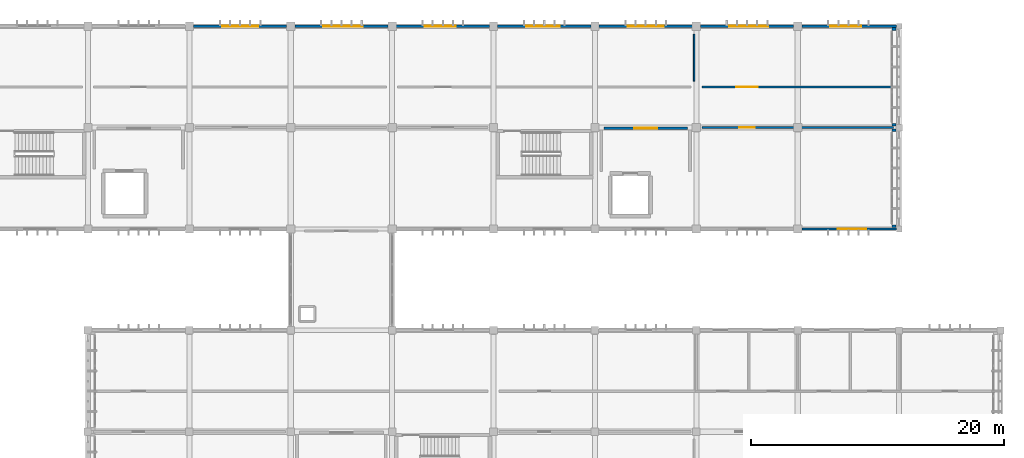
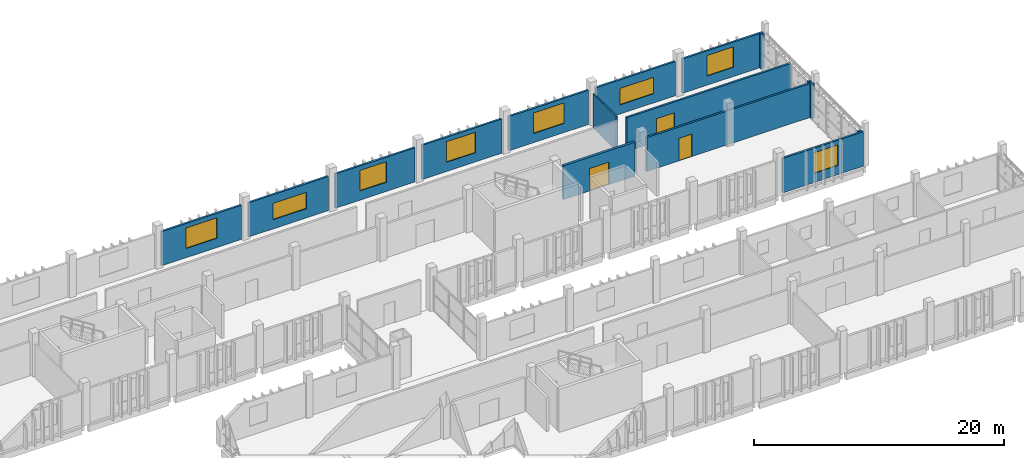
# One storey, part 54 of 63: 16 walls, 8 windows, 3 doors, 11 openings.
"""IFC4 building model written with IfcOpenShell, lengths in metres."""

from ifc_helpers import new_model, si_unit, direction, frame, frame_2d, origin, place, context, subcontext, project, spatial, rectangle, extrude, material, layer, layer_set, type_object, element, fill, save


model = new_model("IFC4")

# Units and contexts
model_context = context("Model", 3, precision=1e-05, world=origin(), true_north=direction((0.0, 1.0)))
body_context = subcontext(model_context, "Body", "Model", "MODEL_VIEW")
ifc_project = project(units=[si_unit("LENGTHUNIT", "METRE"), si_unit("AREAUNIT", "SQUARE_METRE"), si_unit("VOLUMEUNIT", "CUBIC_METRE"), si_unit("PLANEANGLEUNIT", "RADIAN"), si_unit("MASSUNIT", "GRAM", prefix="KILO")], contexts=[model_context])

# Site, building, storey
site_placement = place(None, origin())
site = spatial("IfcSite", under=ifc_project, at=site_placement, CompositionType="ELEMENT")
building_placement = place(site_placement, origin())
building = spatial("IfcBuilding", under=site, at=building_placement, Name="Jelvoka-Kovrelna Polytechnic", CompositionType="ELEMENT")
storey_placement = place(building_placement, frame((0.0, 0.0, 18.0)))
storey = spatial("IfcBuildingStorey", under=building, at=storey_placement, Name="L05", CompositionType="ELEMENT", Elevation=18.0)

# Wall, opening, door
ifc_material_1 = material(Name="Concrete C35/45", Category="concrete")
ifc_layer_1 = layer(ifc_material_1, 0.219970703125)
ifc_layer_set_1 = layer_set([ifc_layer_1], Name="Concrete C35/45")
wall_type_1 = type_object("IfcWallType", Name="Wall_Compartment_220", PredefinedType="PARTITIONING", material=ifc_layer_set_1)
wall_1_placement = place(storey_placement, frame((168.699951171875, 63.949951171875, 0.0), z_axis=(0.0, 0.0, 1.0), x_axis=(1.0, 0.0, 0.0)))
wall_1 = element("IfcWall", 1, at=wall_1_placement, inside=storey, type_object=wall_type_1, Name="L05 interior wall 0367", PredefinedType="PARTITIONING", context=body_context, shape_type="SweptSolid", body=[
    extrude(rectangle(XDim=6.60009765625, YDim=0.219970703125, at=frame_2d((3.300048828125, 0.0))), origin(), (0.0, 0.0, 1.0), 3.300048828125),
])
opening_1_placement = place(wall_1_placement, frame((2.39990234375, 0.0, 0.0)))
opening_1 = element("IfcOpeningElement", 2, at=opening_1_placement, cuts=wall_1, Name="Opening FD-L05-078", PredefinedType="OPENING", context=body_context, shape_type="SweptSolid", body=[
    extrude(rectangle(XDim=1.800048828125, YDim=2.199951171875, at=frame_2d((0.89990234375, 1.10009765625))), frame((0.0, 0.119873046875, 0.0), z_axis=(0.0, -1.0, 0.0), x_axis=(1.0, 0.0, 0.0)), (0.0, 0.0, 1.0), 0.239990234375),
])
ifc_material_2 = material(Name="Paired steel corridor fire door", Category="steel")
door_type_1 = type_object("IfcDoorType", Name="Door_Fire_FD03", OperationType="NOTDEFINED", PredefinedType="DOOR", material=ifc_material_2)
door_1_placement = place(opening_1_placement, origin())
door_1 = element("IfcDoor", 3, at=door_1_placement, inside=storey, type_object=door_type_1, Name="L05 interior door FD-L05-078", OperationType="DOUBLE_DOOR_SINGLE_SWING", OverallHeight=2.199951171875, OverallWidth=1.800048828125, PredefinedType="DOOR", context=body_context, shape_type="SweptSolid", body=[
    extrude(rectangle(XDim=1.800048828125, YDim=2.199951171875, at=frame_2d((0.89990234375, 1.10009765625))), frame((0.0, 0.02490234375, 0.0), z_axis=(0.0, -1.0, 0.0), x_axis=(1.0, 0.0, 0.0)), (0.0, 0.0, 1.0), 0.050048828125),
])
fill(opening_1, door_1)

ifc_material_3 = material(Name="Autoclaved aerated concrete blockwork", Category="masonry")
ifc_layer_2 = layer(ifc_material_3, 0.179931640625)
ifc_layer_set_2 = layer_set([ifc_layer_2], Name="Autoclaved aerated concrete blockwork")
wall_type_2 = type_object("IfcWallType", Name="Wall_Corridor_180", PredefinedType="PARTITIONING", material=ifc_layer_set_2)
wall_2_placement = place(storey_placement, frame((176.429931640625, 64.0, 0.0), z_axis=(0.0, 0.0, 1.0), x_axis=(1.0, 0.0, 0.0)))
wall_2 = element("IfcWall", 4, at=wall_2_placement, inside=storey, type_object=wall_type_2, Name="L05 interior wall 1208", PredefinedType="PARTITIONING", context=body_context, shape_type="SweptSolid", body=[
    extrude(rectangle(XDim=15.14013671875, YDim=0.179931640625, at=frame_2d((7.570068359375, 0.0))), origin(), (0.0, 0.0, 1.0), 3.300048828125),
])
opening_2_placement = place(wall_2_placement, frame((2.969970703125, 0.0, 0.0)))
opening_2 = element("IfcOpeningElement", 5, at=opening_2_placement, cuts=wall_2, Name="Opening D-L05-397", PredefinedType="OPENING", context=body_context, shape_type="SweptSolid", body=[
    extrude(rectangle(XDim=1.199951171875, YDim=2.199951171875, at=frame_2d((0.60009765625, 1.10009765625))), frame((0.0, 0.099853515625, 0.0), z_axis=(0.0, -1.0, 0.0), x_axis=(1.0, 0.0, 0.0)), (0.0, 0.0, 1.0), 0.199951171875),
])
ifc_material_4 = material(Name="Laboratory vision-panel door", Category="wood")
door_type_2 = type_object("IfcDoorType", Name="Door_Int_D13", OperationType="NOTDEFINED", PredefinedType="DOOR", material=ifc_material_4)
door_2_placement = place(opening_2_placement, origin())
door_2 = element("IfcDoor", 6, at=door_2_placement, inside=storey, type_object=door_type_2, Name="L05 interior door D-L05-397", OperationType="SINGLE_SWING_LEFT", OverallHeight=2.199951171875, OverallWidth=1.199951171875, PredefinedType="DOOR", context=body_context, shape_type="SweptSolid", body=[
    extrude(rectangle(XDim=1.199951171875, YDim=2.199951171875, at=frame_2d((0.60009765625, 1.10009765625))), frame((0.0, 0.02490234375, 0.0), z_axis=(0.0, -1.0, 0.0), x_axis=(1.0, 0.0, 0.0)), (0.0, 0.0, 1.0), 0.050048828125),
])
fill(opening_2, door_2)

wall_3_placement = place(storey_placement, frame((176.429931640625, 67.199951171875, 0.0), z_axis=(0.0, 0.0, 1.0), x_axis=(1.0, 0.0, 0.0)))
wall_3 = element("IfcWall", 7, at=wall_3_placement, inside=storey, type_object=wall_type_2, Name="L05 interior wall 1215", PredefinedType="PARTITIONING", context=body_context, shape_type="SweptSolid", body=[
    extrude(rectangle(XDim=15.14013671875, YDim=0.179931640625, at=frame_2d((7.570068359375, 0.0))), origin(), (0.0, 0.0, 1.0), 3.300048828125),
])
opening_3_placement = place(wall_3_placement, frame((2.72998046875, 0.0, 0.0)))
opening_3 = element("IfcOpeningElement", 8, at=opening_3_placement, cuts=wall_3, Name="Opening D-L05-403", PredefinedType="OPENING", context=body_context, shape_type="SweptSolid", body=[
    extrude(rectangle(XDim=1.679931640625, YDim=2.25, at=frame_2d((0.83984375, 1.125))), frame((0.0, 0.099853515625, 0.0), z_axis=(0.0, -1.0, 0.0), x_axis=(1.0, 0.0, 0.0)), (0.0, 0.0, 1.0), 0.199951171875),
])
ifc_material_5 = material(Name="Paired acoustic lecture theatre door", Category="wood")
door_type_3 = type_object("IfcDoorType", Name="Door_Int_D20", OperationType="NOTDEFINED", PredefinedType="DOOR", material=ifc_material_5)
door_3_placement = place(opening_3_placement, origin())
door_3 = element("IfcDoor", 9, at=door_3_placement, inside=storey, type_object=door_type_3, Name="L05 interior door D-L05-403", OperationType="DOUBLE_DOOR_SINGLE_SWING", OverallHeight=2.25, OverallWidth=1.679931640625, PredefinedType="DOOR", context=body_context, shape_type="SweptSolid", body=[
    extrude(rectangle(XDim=1.679931640625, YDim=2.25, at=frame_2d((0.83984375, 1.125))), frame((0.0, 0.02490234375, 0.0), z_axis=(0.0, -1.0, 0.0), x_axis=(1.0, 0.0, 0.0)), (0.0, 0.0, 1.0), 0.050048828125),
])
fill(opening_3, door_3)

# Wall, opening, window
ifc_material_6 = material(Name="Precast concrete C40/50", Category="concrete")
ifc_layer_3 = layer(ifc_material_6, 0.18505859375)
ifc_layer_set_3 = layer_set([ifc_layer_3], Name="Precast concrete C40/50")
wall_type_3 = type_object("IfcWallType", Name="Wall_Ext_White_260", PredefinedType="STANDARD", material=ifc_layer_set_3)
wall_4_placement = place(storey_placement, frame((136.322021484375, 72.0, 0.0), z_axis=(0.0, 0.0, 1.0), x_axis=(1.0, 0.0, 0.0)))
wall_4 = element("IfcWall", 10, at=wall_4_placement, inside=storey, type_object=wall_type_3, Name="L05 exterior wall 0731", PredefinedType="STANDARD", context=body_context, shape_type="SweptSolid", body=[
    extrude(rectangle(XDim=7.35595703125, YDim=0.18505859375, at=frame_2d((3.677978515625, 0.0))), origin(), (0.0, 0.0, 1.0), 3.3349609375),
])
opening_4_placement = place(wall_4_placement, frame((2.258056640625, 0.0, 0.89990234375)))
opening_4 = element("IfcOpeningElement", 11, at=opening_4_placement, cuts=wall_4, Name="Opening W-L05-393", PredefinedType="OPENING", context=body_context, shape_type="SweptSolid", body=[
    extrude(rectangle(XDim=2.85009765625, YDim=2.0, at=frame_2d((1.425048828125, 1.0))), frame((0.0, 0.1025390625, 0.0), z_axis=(0.0, -1.0, 0.0), x_axis=(1.0, 0.0, 0.0)), (0.0, 0.0, 1.0), 0.205078125),
])
ifc_material_7 = material(Name="Thermally broken anodised aluminium and low-e glazing", Category="aluminium")
window_type_1 = type_object("IfcWindowType", Name="Win_Casement_W60", PartitioningType="DOUBLE_PANEL_VERTICAL", PredefinedType="WINDOW", material=ifc_material_7)
window_1_placement = place(opening_4_placement, origin())
window_1 = element("IfcWindow", 12, at=window_1_placement, inside=storey, type_object=window_type_1, Name="L05 aluminium casement window W-L05-393", OverallHeight=2.0, OverallWidth=2.85009765625, PartitioningType="DOUBLE_PANEL_VERTICAL", PredefinedType="WINDOW", context=body_context, shape_type="SweptSolid", body=[
    extrude(rectangle(XDim=2.85009765625, YDim=2.0, at=frame_2d((1.425048828125, 1.0))), frame((0.0, 0.030029296875, 0.0), z_axis=(0.0, -1.0, 0.0), x_axis=(1.0, 0.0, 0.0)), (0.0, 0.0, 1.0), 0.06005859375),
])
fill(opening_4, window_1)

wall_5_placement = place(storey_placement, frame((144.322021484375, 72.0, 0.0), z_axis=(0.0, 0.0, 1.0), x_axis=(1.0, 0.0, 0.0)))
wall_5 = element("IfcWall", 13, at=wall_5_placement, inside=storey, type_object=wall_type_3, Name="L05 exterior wall 0732", PredefinedType="STANDARD", context=body_context, shape_type="SweptSolid", body=[
    extrude(rectangle(XDim=7.35595703125, YDim=0.18505859375, at=frame_2d((3.677978515625, 0.0))), origin(), (0.0, 0.0, 1.0), 3.3349609375),
])
opening_5_placement = place(wall_5_placement, frame((2.258056640625, 0.0, 0.89990234375)))
opening_5 = element("IfcOpeningElement", 14, at=opening_5_placement, cuts=wall_5, Name="Opening W-L05-394", PredefinedType="OPENING", context=body_context, shape_type="SweptSolid", body=[
    extrude(rectangle(XDim=3.10009765625, YDim=1.60009765625, at=frame_2d((1.550048828125, 0.800048828125))), frame((0.0, 0.1025390625, 0.0), z_axis=(0.0, -1.0, 0.0), x_axis=(1.0, 0.0, 0.0)), (0.0, 0.0, 1.0), 0.205078125),
])
ifc_material_8 = material(Name="Thermally broken anodised aluminium and low-e glazing", Category="aluminium")
window_type_2 = type_object("IfcWindowType", Name="Win_Casement_W61", PartitioningType="DOUBLE_PANEL_VERTICAL", PredefinedType="WINDOW", material=ifc_material_8)
window_2_placement = place(opening_5_placement, origin())
window_2 = element("IfcWindow", 15, at=window_2_placement, inside=storey, type_object=window_type_2, Name="L05 aluminium casement window W-L05-394", OverallHeight=1.60009765625, OverallWidth=3.10009765625, PartitioningType="DOUBLE_PANEL_VERTICAL", PredefinedType="WINDOW", context=body_context, shape_type="SweptSolid", body=[
    extrude(rectangle(XDim=3.10009765625, YDim=1.60009765625, at=frame_2d((1.550048828125, 0.800048828125))), frame((0.0, 0.030029296875, 0.0), z_axis=(0.0, -1.0, 0.0), x_axis=(1.0, 0.0, 0.0)), (0.0, 0.0, 1.0), 0.06005859375),
])
fill(opening_5, window_2)

wall_6_placement = place(storey_placement, frame((152.322021484375, 72.0, 0.0), z_axis=(0.0, 0.0, 1.0), x_axis=(1.0, 0.0, 0.0)))
wall_6 = element("IfcWall", 16, at=wall_6_placement, inside=storey, type_object=wall_type_3, Name="L05 exterior wall 0734", PredefinedType="STANDARD", context=body_context, shape_type="SweptSolid", body=[
    extrude(rectangle(XDim=7.35595703125, YDim=0.18505859375, at=frame_2d((3.677978515625, 0.0))), origin(), (0.0, 0.0, 1.0), 3.3349609375),
])
opening_6_placement = place(wall_6_placement, frame((2.258056640625, 0.0, 0.89990234375)))
opening_6 = element("IfcOpeningElement", 17, at=opening_6_placement, cuts=wall_6, Name="Opening W-L05-396", PredefinedType="OPENING", context=body_context, shape_type="SweptSolid", body=[
    extrude(rectangle(XDim=2.449951171875, YDim=2.0, at=frame_2d((1.22509765625, 1.0))), frame((0.0, 0.1025390625, 0.0), z_axis=(0.0, -1.0, 0.0), x_axis=(1.0, 0.0, 0.0)), (0.0, 0.0, 1.0), 0.205078125),
])
ifc_material_9 = material(Name="Thermally broken anodised aluminium and low-e glazing", Category="aluminium")
window_type_3 = type_object("IfcWindowType", Name="Win_Casement_W58", PartitioningType="DOUBLE_PANEL_VERTICAL", PredefinedType="WINDOW", material=ifc_material_9)
window_3_placement = place(opening_6_placement, origin())
window_3 = element("IfcWindow", 18, at=window_3_placement, inside=storey, type_object=window_type_3, Name="L05 aluminium casement window W-L05-396", OverallHeight=2.0, OverallWidth=2.449951171875, PartitioningType="DOUBLE_PANEL_VERTICAL", PredefinedType="WINDOW", context=body_context, shape_type="SweptSolid", body=[
    extrude(rectangle(XDim=2.449951171875, YDim=2.0, at=frame_2d((1.22509765625, 1.0))), frame((0.0, 0.030029296875, 0.0), z_axis=(0.0, -1.0, 0.0), x_axis=(1.0, 0.0, 0.0)), (0.0, 0.0, 1.0), 0.06005859375),
])
fill(opening_6, window_3)

wall_7_placement = place(storey_placement, frame((160.322021484375, 72.0, 0.0), z_axis=(0.0, 0.0, 1.0), x_axis=(1.0, 0.0, 0.0)))
wall_7 = element("IfcWall", 19, at=wall_7_placement, inside=storey, type_object=wall_type_3, Name="L05 exterior wall 0736", PredefinedType="STANDARD", context=body_context, shape_type="SweptSolid", body=[
    extrude(rectangle(XDim=7.35595703125, YDim=0.18505859375, at=frame_2d((3.677978515625, 0.0))), origin(), (0.0, 0.0, 1.0), 3.3349609375),
])
opening_7_placement = place(wall_7_placement, frame((2.258056640625, 0.0, 0.89990234375)))
opening_7 = element("IfcOpeningElement", 20, at=opening_7_placement, cuts=wall_7, Name="Opening W-L05-398", PredefinedType="OPENING", context=body_context, shape_type="SweptSolid", body=[
    extrude(rectangle(XDim=2.64990234375, YDim=2.0, at=frame_2d((1.324951171875, 1.0))), frame((0.0, 0.1025390625, 0.0), z_axis=(0.0, -1.0, 0.0), x_axis=(1.0, 0.0, 0.0)), (0.0, 0.0, 1.0), 0.205078125),
])
ifc_material_10 = material(Name="Thermally broken anodised aluminium and low-e glazing", Category="aluminium")
window_type_4 = type_object("IfcWindowType", Name="Win_Casement_W59", PartitioningType="DOUBLE_PANEL_VERTICAL", PredefinedType="WINDOW", material=ifc_material_10)
window_4_placement = place(opening_7_placement, origin())
window_4 = element("IfcWindow", 21, at=window_4_placement, inside=storey, type_object=window_type_4, Name="L05 aluminium casement window W-L05-398", OverallHeight=2.0, OverallWidth=2.64990234375, PartitioningType="DOUBLE_PANEL_VERTICAL", PredefinedType="WINDOW", context=body_context, shape_type="SweptSolid", body=[
    extrude(rectangle(XDim=2.64990234375, YDim=2.0, at=frame_2d((1.324951171875, 1.0))), frame((0.0, 0.030029296875, 0.0), z_axis=(0.0, -1.0, 0.0), x_axis=(1.0, 0.0, 0.0)), (0.0, 0.0, 1.0), 0.06005859375),
])
fill(opening_7, window_4)

wall_8_placement = place(storey_placement, frame((168.322021484375, 72.0, 0.0), z_axis=(0.0, 0.0, 1.0), x_axis=(1.0, 0.0, 0.0)))
wall_8 = element("IfcWall", 22, at=wall_8_placement, inside=storey, type_object=wall_type_3, Name="L05 exterior wall 0738", PredefinedType="STANDARD", context=body_context, shape_type="SweptSolid", body=[
    extrude(rectangle(XDim=7.35595703125, YDim=0.18505859375, at=frame_2d((3.677978515625, 0.0))), origin(), (0.0, 0.0, 1.0), 3.3349609375),
])
opening_8_placement = place(wall_8_placement, frame((2.258056640625, 0.0, 0.89990234375)))
opening_8 = element("IfcOpeningElement", 23, at=opening_8_placement, cuts=wall_8, Name="Opening W-L05-400", PredefinedType="OPENING", context=body_context, shape_type="SweptSolid", body=[
    extrude(rectangle(XDim=2.85009765625, YDim=2.0, at=frame_2d((1.425048828125, 1.0))), frame((0.0, 0.1025390625, 0.0), z_axis=(0.0, -1.0, 0.0), x_axis=(1.0, 0.0, 0.0)), (0.0, 0.0, 1.0), 0.205078125),
])
window_5_placement = place(opening_8_placement, origin())
window_5 = element("IfcWindow", 24, at=window_5_placement, inside=storey, type_object=window_type_1, Name="L05 aluminium casement window W-L05-400", OverallHeight=2.0, OverallWidth=2.85009765625, PartitioningType="DOUBLE_PANEL_VERTICAL", PredefinedType="WINDOW", context=body_context, shape_type="SweptSolid", body=[
    extrude(rectangle(XDim=2.85009765625, YDim=2.0, at=frame_2d((1.425048828125, 1.0))), frame((0.0, 0.030029296875, 0.0), z_axis=(0.0, -1.0, 0.0), x_axis=(1.0, 0.0, 0.0)), (0.0, 0.0, 1.0), 0.06005859375),
])
fill(opening_8, window_5)

wall_9_placement = place(storey_placement, frame((176.322021484375, 72.0, 0.0), z_axis=(0.0, 0.0, 1.0), x_axis=(1.0, 0.0, 0.0)))
wall_9 = element("IfcWall", 25, at=wall_9_placement, inside=storey, type_object=wall_type_3, Name="L05 exterior wall 0740", PredefinedType="STANDARD", context=body_context, shape_type="SweptSolid", body=[
    extrude(rectangle(XDim=7.35595703125, YDim=0.18505859375, at=frame_2d((3.677978515625, 0.0))), origin(), (0.0, 0.0, 1.0), 3.3349609375),
])
opening_9_placement = place(wall_9_placement, frame((2.258056640625, 0.0, 0.89990234375)))
opening_9 = element("IfcOpeningElement", 26, at=opening_9_placement, cuts=wall_9, Name="Opening W-L05-402", PredefinedType="OPENING", context=body_context, shape_type="SweptSolid", body=[
    extrude(rectangle(XDim=3.10009765625, YDim=1.60009765625, at=frame_2d((1.550048828125, 0.800048828125))), frame((0.0, 0.1025390625, 0.0), z_axis=(0.0, -1.0, 0.0), x_axis=(1.0, 0.0, 0.0)), (0.0, 0.0, 1.0), 0.205078125),
])
window_6_placement = place(opening_9_placement, origin())
window_6 = element("IfcWindow", 27, at=window_6_placement, inside=storey, type_object=window_type_2, Name="L05 aluminium casement window W-L05-402", OverallHeight=1.60009765625, OverallWidth=3.10009765625, PartitioningType="DOUBLE_PANEL_VERTICAL", PredefinedType="WINDOW", context=body_context, shape_type="SweptSolid", body=[
    extrude(rectangle(XDim=3.10009765625, YDim=1.60009765625, at=frame_2d((1.550048828125, 0.800048828125))), frame((0.0, 0.030029296875, 0.0), z_axis=(0.0, -1.0, 0.0), x_axis=(1.0, 0.0, 0.0)), (0.0, 0.0, 1.0), 0.06005859375),
])
fill(opening_9, window_6)

wall_10_placement = place(storey_placement, frame((191.778076171875, 56.0, 0.0), z_axis=(0.0, 0.0, 1.0), x_axis=(-1.0, 0.0, 0.0)))
wall_10 = element("IfcWall", 28, at=wall_10_placement, inside=storey, type_object=wall_type_3, Name="L05 exterior wall 0741", PredefinedType="STANDARD", context=body_context, shape_type="SweptSolid", body=[
    extrude(rectangle(XDim=7.4560546875, YDim=0.18505859375, at=frame_2d((3.72802734375, 0.0))), origin(), (0.0, 0.0, 1.0), 3.35009765625),
])
opening_10_placement = place(wall_10_placement, frame((2.35791015625, 0.0, 0.89990234375)))
opening_10 = element("IfcOpeningElement", 29, at=opening_10_placement, cuts=wall_10, Name="Opening W-L05-403", PredefinedType="OPENING", context=body_context, shape_type="SweptSolid", body=[
    extrude(rectangle(XDim=2.25, YDim=2.0, at=frame_2d((1.125, 1.0))), frame((0.0, 0.1025390625, 0.0), z_axis=(0.0, -1.0, 0.0), x_axis=(1.0, 0.0, 0.0)), (0.0, 0.0, 1.0), 0.205078125),
])
ifc_material_11 = material(Name="Thermally broken anodised aluminium and low-e glazing", Category="aluminium")
window_type_5 = type_object("IfcWindowType", Name="Win_Casement_W57", PartitioningType="DOUBLE_PANEL_VERTICAL", PredefinedType="WINDOW", material=ifc_material_11)
window_7_placement = place(opening_10_placement, origin())
window_7 = element("IfcWindow", 30, at=window_7_placement, inside=storey, type_object=window_type_5, Name="L05 aluminium casement window W-L05-403", OverallHeight=2.0, OverallWidth=2.25, PartitioningType="DOUBLE_PANEL_VERTICAL", PredefinedType="WINDOW", context=body_context, shape_type="SweptSolid", body=[
    extrude(rectangle(XDim=2.25, YDim=2.0, at=frame_2d((1.125, 1.0))), frame((0.0, 0.030029296875, 0.0), z_axis=(0.0, -1.0, 0.0), x_axis=(1.0, 0.0, 0.0)), (0.0, 0.0, 1.0), 0.06005859375),
])
fill(opening_10, window_7)

wall_11_placement = place(storey_placement, frame((184.322021484375, 72.0, 0.0), z_axis=(0.0, 0.0, 1.0), x_axis=(1.0, 0.0, 0.0)))
wall_11 = element("IfcWall", 31, at=wall_11_placement, inside=storey, type_object=wall_type_3, Name="L05 exterior wall 0742", PredefinedType="STANDARD", context=body_context, shape_type="SweptSolid", body=[
    extrude(rectangle(XDim=7.4560546875, YDim=0.18505859375, at=frame_2d((3.72802734375, 0.0))), origin(), (0.0, 0.0, 1.0), 3.35009765625),
])
opening_11_placement = place(wall_11_placement, frame((2.258056640625, 0.0, 0.89990234375)))
opening_11 = element("IfcOpeningElement", 32, at=opening_11_placement, cuts=wall_11, Name="Opening W-L05-404", PredefinedType="OPENING", context=body_context, shape_type="SweptSolid", body=[
    extrude(rectangle(XDim=2.449951171875, YDim=2.0, at=frame_2d((1.22509765625, 1.0))), frame((0.0, 0.1025390625, 0.0), z_axis=(0.0, -1.0, 0.0), x_axis=(1.0, 0.0, 0.0)), (0.0, 0.0, 1.0), 0.205078125),
])
window_8_placement = place(opening_11_placement, origin())
window_8 = element("IfcWindow", 33, at=window_8_placement, inside=storey, type_object=window_type_3, Name="L05 aluminium casement window W-L05-404", OverallHeight=2.0, OverallWidth=2.449951171875, PartitioningType="DOUBLE_PANEL_VERTICAL", PredefinedType="WINDOW", context=body_context, shape_type="SweptSolid", body=[
    extrude(rectangle(XDim=2.449951171875, YDim=2.0, at=frame_2d((1.22509765625, 1.0))), frame((0.0, 0.030029296875, 0.0), z_axis=(0.0, -1.0, 0.0), x_axis=(1.0, 0.0, 0.0)), (0.0, 0.0, 1.0), 0.06005859375),
])
fill(opening_11, window_8)

# Walls
ifc_material_12 = material(Name="Precast concrete C40/50", Category="concrete")
ifc_layer_4 = layer(ifc_material_12, 0.199951171875)
ifc_layer_set_4 = layer_set([ifc_layer_4], Name="Precast concrete C40/50")
wall_type_4 = type_object("IfcWallType", Name="Wall_Parapet_200", PredefinedType="PARAPET", material=ifc_layer_set_4)
for number, where, z_axis, x_axis, name in (
    (34, (191.760009765625, 56.219970703125, 0.0), (0.0, 0.0, 1.0), (-1.0, 0.0, 0.0), "L05 exterior wall 0743"),
    (35, (191.760009765625, 63.780029296875, 0.0), (0.0, 0.0, 1.0), (-1.0, 0.0, 0.0), "L05 exterior wall 0744"),
    (36, (191.760009765625, 64.219970703125, 0.0), (0.0, 0.0, 1.0), (-1.0, 0.0, 0.0), "L05 exterior wall 0745"),
    (37, (191.760009765625, 71.780029296875, 0.0), (0.0, 0.0, 1.0), (-1.0, 0.0, 0.0), "L05 exterior wall 0746"),
):
    element("IfcWall", number, at=place(storey_placement, frame(where, z_axis=z_axis, x_axis=x_axis)), inside=storey, type_object=wall_type_4, Name=name, PredefinedType="PARAPET", context=body_context, shape_type="SweptSolid", body=[
        extrude(rectangle(XDim=0.320068359375, YDim=0.199951171875, at=frame_2d((0.16015625, 0.0))), origin(), (0.0, 0.0, 1.0), 3.35009765625),
    ])
ifc_material_13 = material(Name="Acoustic gypsum stud partition")
ifc_layer_5 = layer(ifc_material_13, 0.125)
ifc_layer_set_5 = layer_set([ifc_layer_5], Name="Acoustic gypsum stud partition")
wall_type_5 = type_object("IfcWallType", Name="Wall_Partition_125", PredefinedType="PARTITIONING", material=ifc_layer_set_5)
wall_12_placement = place(storey_placement, frame((175.820068359375, 67.669921875, 0.0), z_axis=(0.0, 0.0, 1.0), x_axis=(0.0, 1.0, 0.0)))
element("IfcWall", 38, at=wall_12_placement, inside=storey, type_object=wall_type_5, Name="L05 interior wall 1214", PredefinedType="PARTITIONING", context=body_context, shape_type="SweptSolid", body=[
    extrude(rectangle(XDim=3.7099609375, YDim=0.125, at=frame_2d((1.85498046875, 0.0))), origin(), (0.0, 0.0, 1.0), 3.300048828125),
])

save(model, "model.ifc")
